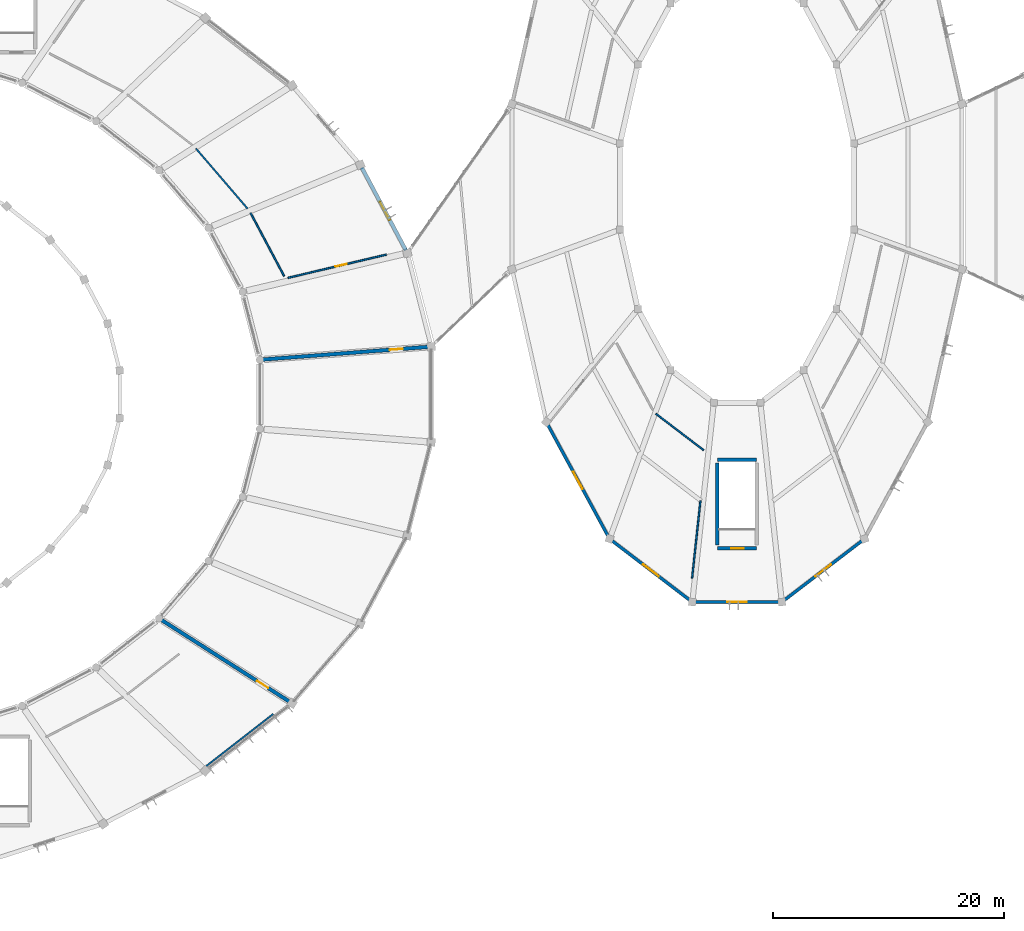
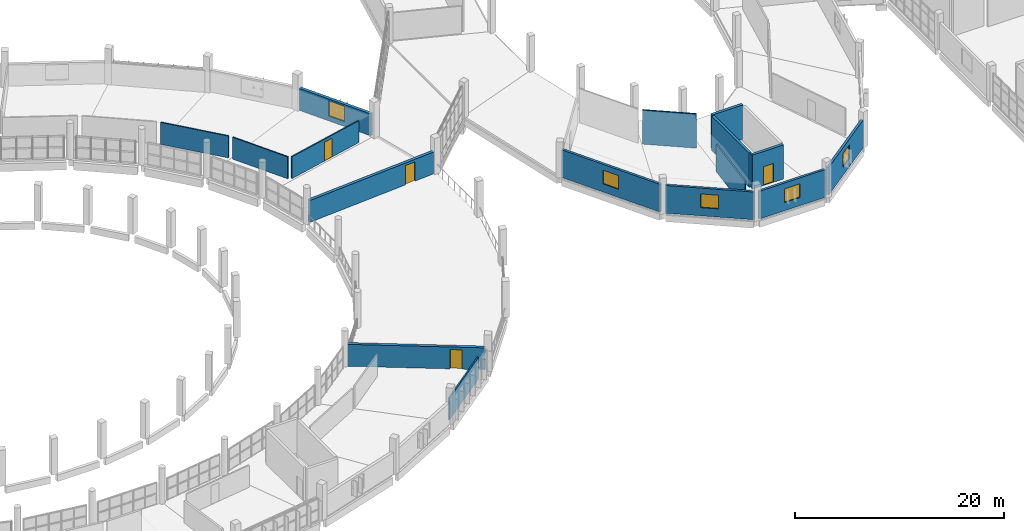
# One storey, part 102 of 142: 16 walls, 5 windows, 4 doors, 9 openings.
"""IFC4 building model written with IfcOpenShell, lengths in metres."""

import ifcopenshell
import ifcopenshell.guid

model = None  # the IFC model being written
_history = None  # IfcOwnerHistory: only IFC2X3 demands one
_inside = {}  # id of a spatial element -> (the spatial element, [elements in it])
_under = {}  # id of a project, library or spatial element -> (it, [spatial elements below it])
_declared = {}  # id of a project -> (the project, [libraries it declares])
_typed = {}  # id of a type object -> (the type object, [elements of that type])
_made_of = {}  # id of a material, layer set ... -> (it, [elements and type objects made of it])


def new_model(schema):
    """Start an empty IFC model of exactly this schema.

    Asked for "IFC4X3", IfcOpenShell would pick the latest addendum, in which some entities
    have other attributes; the version numbers below select the first issue.
    IFC2X3 requires an IfcOwnerHistory on every rooted entity: one is made here for all.
    """
    global model, _history
    if schema == "IFC4X3":
        model = ifcopenshell.file(schema_version=(4, 3, 0, 0))
    else:
        model = ifcopenshell.file(schema=schema)
    _inside.clear()
    _under.clear()
    _declared.clear()
    _typed.clear()
    _made_of.clear()
    _history = None
    if model.schema == "IFC2X3":
        org = make("IfcOrganization", Name="unknown")
        user = make(
            "IfcPersonAndOrganization",
            ThePerson=make("IfcPerson", FamilyName="unknown"),
            TheOrganization=org,
        )
        app = make(
            "IfcApplication",
            ApplicationDeveloper=org,
            Version="unknown",
            ApplicationFullName="unknown",
            ApplicationIdentifier="unknown",
        )
        _history = make(
            "IfcOwnerHistory",
            OwningUser=user,
            OwningApplication=app,
            ChangeAction="ADDED",
            CreationDate=0,
        )
    return model


def make(cls, **values):
    """One entity of the class cls with the attributes given. An attribute that is None is left unset."""
    return model.create_entity(
        cls, **{name: value for name, value in values.items() if value is not None}
    )


def rooted(cls, **values):
    """An entity with a GlobalId (a new one), such as an element, a storey or a relation."""
    return make(cls, GlobalId=ifcopenshell.guid.new(), OwnerHistory=_history, **values)


def si_unit(unit_type, name, prefix=None):
    """IfcSIUnit, for example si_unit("LENGTHUNIT", "METRE", prefix="MILLI")."""
    return make("IfcSIUnit", UnitType=unit_type, Prefix=prefix, Name=name)


def assignment(units):
    """IfcUnitAssignment: the units of a project."""
    return None if units is None else make("IfcUnitAssignment", Units=units)


def point(xyz):
    """IfcCartesianPoint."""
    return None if xyz is None else make("IfcCartesianPoint", Coordinates=xyz)


def direction(xyz):
    """IfcDirection."""
    return None if xyz is None else make("IfcDirection", DirectionRatios=xyz)


def frame(location, z_axis=None, x_axis=None):
    """IfcAxis2Placement3D, a coordinate frame: its origin and axes. An axis left out is left unset."""
    return make(
        "IfcAxis2Placement3D",
        Location=point(location),
        Axis=direction(z_axis),
        RefDirection=direction(x_axis),
    )


def frame_2d(location, x_axis=None):
    """IfcAxis2Placement2D, a coordinate frame in the plane: its origin and x axis."""
    return make(
        "IfcAxis2Placement2D", Location=point(location), RefDirection=direction(x_axis)
    )


def origin():
    """The frame at (0, 0, 0) with its axes left unset."""
    return frame((0.0, 0.0, 0.0))


def place(relative_to, where):
    """IfcLocalPlacement: puts the frame where relative to a parent placement (None: the world)."""
    return make(
        "IfcLocalPlacement", PlacementRelTo=relative_to, RelativePlacement=where
    )


def context(
    kind, dimensions, precision=None, world=None, true_north=None, identifier=None
):
    """IfcGeometricRepresentationContext, for example the 3D "Model" context."""
    return make(
        "IfcGeometricRepresentationContext",
        ContextIdentifier=identifier,
        ContextType=kind,
        CoordinateSpaceDimension=dimensions,
        Precision=precision,
        WorldCoordinateSystem=world,
        TrueNorth=true_north,
    )


def subcontext(parent, identifier, kind, view, scale=None):
    """IfcGeometricRepresentationSubContext, for example "Body" below "Model"."""
    return make(
        "IfcGeometricRepresentationSubContext",
        ContextIdentifier=identifier,
        ContextType=kind,
        ParentContext=parent,
        TargetScale=scale,
        TargetView=view,
    )


def project(units=None, contexts=None):
    """IfcProject with its units and contexts."""
    return rooted(
        "IfcProject",
        Name="project",
        RepresentationContexts=contexts,
        UnitsInContext=assignment(units),
    )


def spatial(cls, under=None, at=None, **own):
    """A site, building, storey or space (cls), placed at a placement, below another one or the project."""
    s = rooted(cls, ObjectPlacement=at, **own)
    if under is not None:
        _under.setdefault(under.id(), (under, []))[1].append(s)
    return s


def profile(cls, at=None, kind="AREA", **sizes):
    """A parametric profile (cls). Its sizes go by their IFC names, for example OverallWidth=200.0."""
    return make(cls, ProfileType=kind, Position=at, **sizes)


def rectangle(**sizes):
    """IfcRectangleProfileDef."""
    return profile("IfcRectangleProfileDef", **sizes)


def extrude(swept, where, along, depth):
    """IfcExtrudedAreaSolid: the profile swept, set in the frame where, extruded along a direction by depth."""
    return make(
        "IfcExtrudedAreaSolid",
        SweptArea=swept,
        Position=where,
        ExtrudedDirection=direction(along),
        Depth=depth,
    )


def shape(context_of_items, identifier, shape_type, items):
    """IfcShapeRepresentation: the items that make up one representation, for example the "Body"."""
    return make(
        "IfcShapeRepresentation",
        ContextOfItems=context_of_items,
        RepresentationIdentifier=identifier,
        RepresentationType=shape_type,
        Items=items,
    )


def material(Name=None, Category=None):
    """IfcMaterial."""
    return make("IfcMaterial", Name=Name, Category=Category)


def layer(
    of_material, thickness, ventilated=None, Name=None, Category=None, Priority=None
):
    """IfcMaterialLayer: one layer of a wall or slab, of a material (None: an air gap)."""
    return make(
        "IfcMaterialLayer",
        Material=of_material,
        LayerThickness=thickness,
        IsVentilated=ventilated,
        Name=Name,
        Category=Category,
        Priority=Priority,
    )


def layer_set(layers, Name=None):
    """IfcMaterialLayerSet."""
    return make("IfcMaterialLayerSet", MaterialLayers=layers, LayerSetName=Name)


def made_of(thing, what):
    """Note that an element or type object is made of a material, layer set ...; save() writes the relation."""
    if what is not None:
        _made_of.setdefault(what.id(), (what, []))[1].append(thing)
    return thing


def type_object(cls, material=None, **own):
    """A type object (cls), such as IfcWallType, which elements share."""
    return made_of(rooted(cls, **own), material)


def element(
    cls,
    number,
    at=None,
    inside=None,
    cuts=None,
    type_object=None,
    material=None,
    context=None,
    identifier="Body",
    shape_type=None,
    held_by="IfcProductDefinitionShape",
    body=None,
    shapes=None,
    **own,
):
    """One element of the class cls, such as IfcWall. Its Tag is "e" and its number.

    at: its placement. inside: the storey or other place that contains it. cuts: it is an
    opening in that element (IfcRelVoidsElement). A single representation is given by context,
    identifier, shape_type and body (its items); several are given by shapes. held_by: the class
    of the entity that holds the representations. save() writes the other relations.
    """
    e = rooted(cls, Tag="e%d" % number, ObjectPlacement=at, **own)
    if body is not None:
        shapes = [shape(context, identifier, shape_type, body)]
    if shapes is not None:
        e.Representation = make(held_by, Representations=shapes)
    if inside is not None:
        _inside.setdefault(inside.id(), (inside, []))[1].append(e)
    if cuts is not None:
        rooted(
            "IfcRelVoidsElement", RelatingBuildingElement=cuts, RelatedOpeningElement=e
        )
    if type_object is not None:
        _typed.setdefault(type_object.id(), (type_object, []))[1].append(e)
    return made_of(e, material)


def fill(opening, filler):
    """IfcRelFillsElement: the door or window that sits in an opening."""
    return rooted(
        "IfcRelFillsElement",
        RelatingOpeningElement=opening,
        RelatedBuildingElement=filler,
    )


def aggregate(whole, parts):
    """IfcRelAggregates: a whole, such as a stair, and the parts it consists of."""
    return rooted("IfcRelAggregates", RelatingObject=whole, RelatedObjects=parts)


def save(model, path):
    """Write the relations noted so far, then the file.

    IfcRelAggregates (storeys below a building ...), IfcRelContainedInSpatialStructure (elements
    in a storey), IfcRelDefinesByType, IfcRelAssociatesMaterial and IfcRelDeclares: one each for
    every whole, place, type object, material and project.
    """
    for whole, parts in _under.values():
        aggregate(whole, parts)
    for where, things in _inside.values():
        rooted(
            "IfcRelContainedInSpatialStructure",
            RelatedElements=things,
            RelatingStructure=where,
        )
    for kind, things in _typed.values():
        rooted("IfcRelDefinesByType", RelatedObjects=things, RelatingType=kind)
    for what, things in _made_of.values():
        rooted("IfcRelAssociatesMaterial", RelatedObjects=things, RelatingMaterial=what)
    for by, libraries in _declared.values():
        rooted("IfcRelDeclares", RelatingContext=by, RelatedDefinitions=libraries)
    model.write(path)


model = new_model("IFC4")

# Units and contexts
model_context = context("Model", 3, precision=1e-05, world=origin(), true_north=direction((0.0, 1.0)))
body_context = subcontext(model_context, "Body", "Model", "MODEL_VIEW")
ifc_project = project(units=[si_unit("LENGTHUNIT", "METRE"), si_unit("AREAUNIT", "SQUARE_METRE"), si_unit("VOLUMEUNIT", "CUBIC_METRE"), si_unit("PLANEANGLEUNIT", "RADIAN"), si_unit("MASSUNIT", "GRAM", prefix="KILO")], contexts=[model_context])

# Site, building, storey
site_placement = place(None, origin())
site = spatial("IfcSite", under=ifc_project, at=site_placement, CompositionType="ELEMENT")
building_placement = place(site_placement, origin())
building = spatial("IfcBuilding", under=site, at=building_placement, Name="Corvandel Quay Wholesale Market", CompositionType="ELEMENT")
storey_placement = place(building_placement, frame((0.0, 0.0, 10.800048828125)))
storey = spatial("IfcBuildingStorey", under=building, at=storey_placement, Name="L02", CompositionType="ELEMENT", Elevation=10.800048828125)

# Wall
ifc_material_1 = material(Name="Double-layer acoustic gypsum stud partition")
ifc_layer_1 = layer(ifc_material_1, 0.139892578125)
ifc_layer_set_1 = layer_set([ifc_layer_1], Name="Double-layer acoustic gypsum stud partition")
wall_type_1 = type_object("IfcWallType", Name="Office Acoustic Partition PT07 140", PredefinedType="PARTITIONING", material=ifc_layer_set_1)
wall_1_placement = place(storey_placement, frame((152.087646484375, 58.0888671875, 0.0), z_axis=(0.0, 0.0, 1.0), x_axis=(-0.651320491165, 0.758802752887, 0.0)))
element("IfcWall", 1, at=wall_1_placement, inside=storey, type_object=wall_type_1, Name="Interior Wall IW-0522", PredefinedType="PARTITIONING", context=body_context, shape_type="SweptSolid", body=[
    extrude(rectangle(XDim=6.875732421875, YDim=0.139892578125, at=frame_2d((3.43798828125, 0.0))), origin(), (0.0, 0.0, 1.0), 2.550048828125),
])

# Wall, opening, door
wall_2_placement = place(storey_placement, frame((164.115478515625, 54.111572265625, 0.0), z_axis=(0.0, 0.0, 1.0), x_axis=(-0.973273209665, -0.22965029795, 0.0)))
wall_2 = element("IfcWall", 2, at=wall_2_placement, inside=storey, type_object=wall_type_1, Name="Interior Wall IW-0527", PredefinedType="PARTITIONING", context=body_context, shape_type="SweptSolid", body=[
    extrude(rectangle(XDim=8.77490234375, YDim=0.139892578125, at=frame_2d((4.387451171875, 0.0))), origin(), (0.0, 0.0, 1.0), 2.550048828125),
])
opening_1_placement = place(wall_2_placement, frame((3.537109375, 0.0, 0.0)))
opening_1 = element("IfcOpeningElement", 3, at=opening_1_placement, cuts=wall_2, Name="Opening L02-D030", PredefinedType="OPENING", context=body_context, shape_type="SweptSolid", body=[
    extrude(rectangle(XDim=1.0, YDim=2.199951171875, at=frame_2d((0.5, 1.10009765625))), frame((0.0, 0.079833984375, 0.0), z_axis=(0.0, -1.0, 0.0), x_axis=(1.0, 0.0, 0.0)), (0.0, 0.0, 1.0), 0.159912109375),
])
ifc_material_2 = material(Name="Stained oak solid-core acoustic timber", Category="wood")
door_type_1 = type_object("IfcDoorType", Name="Office Entry Door ID10 1000x2200R", OperationType="SINGLE_SWING_RIGHT", PredefinedType="DOOR", material=ifc_material_2)
door_1_placement = place(opening_1_placement, origin())
door_1 = element("IfcDoor", 4, at=door_1_placement, inside=storey, type_object=door_type_1, Name="Wholesale Produce Brokers Office East Door", OperationType="SINGLE_SWING_RIGHT", OverallHeight=2.199951171875, OverallWidth=1.0, PredefinedType="DOOR", context=body_context, shape_type="SweptSolid", body=[
    extrude(rectangle(XDim=1.0, YDim=2.199951171875, at=frame_2d((0.5, 1.10009765625))), frame((0.0, 0.02490234375, 0.0), z_axis=(0.0, -1.0, 0.0), x_axis=(1.0, 0.0, 0.0)), (0.0, 0.0, 1.0), 0.050048828125),
])
fill(opening_1, door_1)

# Walls
wall_3_placement = place(storey_placement, frame((155.257568359375, 52.240234375, 0.0), z_axis=(0.0, 0.0, 1.0), x_axis=(-0.470137764168, 0.882593044785, 0.0)))
element("IfcWall", 5, at=wall_3_placement, inside=storey, type_object=wall_type_1, Name="Interior Wall IW-0528", PredefinedType="PARTITIONING", context=body_context, shape_type="SweptSolid", body=[
    extrude(rectangle(XDim=6.217529296875, YDim=0.139892578125, at=frame_2d((3.10888671875, 0.0))), origin(), (0.0, 0.0, 1.0), 2.550048828125),
])
wall_4_placement = place(storey_placement, frame((154.306396484375, 14.306884765625, 0.0), z_axis=(0.0, 0.0, 1.0), x_axis=(-0.789375230677, -0.613911023841, 0.0)))
element("IfcWall", 6, at=wall_4_placement, inside=storey, type_object=wall_type_1, Name="Interior Wall IW-0559", PredefinedType="PARTITIONING", context=body_context, shape_type="SweptSolid", body=[
    extrude(rectangle(XDim=7.42578125, YDim=0.139892578125, at=frame_2d((3.712890625, 0.0))), origin(), (0.0, 0.0, 1.0), 2.550048828125),
])
wall_5_placement = place(storey_placement, frame((187.4736328125, 40.3271484375, 0.0), z_axis=(0.0, 0.0, 1.0), x_axis=(0.793657647785, -0.608364642392, 0.0)))
element("IfcWall", 7, at=wall_5_placement, inside=storey, type_object=wall_type_1, Name="Interior Wall IW-0759", PredefinedType="PARTITIONING", context=body_context, shape_type="SweptSolid", body=[
    extrude(rectangle(XDim=5.209716796875, YDim=0.139892578125, at=frame_2d((2.60498046875, 0.0))), origin(), (0.0, 0.0, 1.0), 3.97998046875),
])
wall_6_placement = place(storey_placement, frame((191.326416015625, 32.787109375, 0.0), z_axis=(0.0, 0.0, 1.0), x_axis=(-0.107128203979, -0.994245215182, 0.0)))
element("IfcWall", 8, at=wall_6_placement, inside=storey, type_object=wall_type_1, Name="Interior Wall IW-0760", PredefinedType="PARTITIONING", context=body_context, shape_type="SweptSolid", body=[
    extrude(rectangle(XDim=6.750244140625, YDim=0.139892578125, at=frame_2d((3.375, 0.0))), origin(), (0.0, 0.0, 1.0), 3.179931640625),
])

# Wall, opening, window
ifc_material_3 = material(Name="Terracotta precast concrete C45/55", Category="masonry")
ifc_layer_2 = layer(ifc_material_3, 0.260009765625)
ifc_layer_set_2 = layer_set([ifc_layer_2], Name="Terracotta precast concrete C45/55")
wall_type_2 = type_object("IfcWallType", Name="Pavilion Pilaster Infill Wall EW08 260", PredefinedType="SOLIDWALL", material=ifc_layer_set_2)
wall_7_placement = place(storey_placement, frame((178.07373046875, 39.41455078125, 0.0), z_axis=(0.0, 0.0, 1.0), x_axis=(0.476243387046, -0.87931350285, 0.0)))
wall_7 = element("IfcWall", 9, at=wall_7_placement, inside=storey, type_object=wall_type_2, Name="Exterior Wall EW-0181", PredefinedType="SOLIDWALL", context=body_context, shape_type="SweptSolid", body=[
    extrude(rectangle(XDim=11.0771484375, YDim=0.260009765625, at=frame_2d((5.53857421875, 0.0))), origin(), (0.0, 0.0, 1.0), 3.22998046875),
])
opening_2_placement = place(wall_7_placement, frame((4.68896484375, 0.0, 0.949951171875)))
opening_2 = element("IfcOpeningElement", 10, at=opening_2_placement, cuts=wall_7, Name="Opening L02-W033", PredefinedType="OPENING", context=body_context, shape_type="SweptSolid", body=[
    extrude(rectangle(XDim=1.699951171875, YDim=1.60009765625, at=frame_2d((0.85009765625, 0.800048828125))), frame((0.0, 0.139892578125, 0.0), z_axis=(0.0, -1.0, 0.0), x_axis=(1.0, 0.0, 0.0)), (0.0, 0.0, 1.0), 0.280029296875),
])
ifc_material_4 = material(Name="Thermally broken bronze anodised aluminium and solar-control low-E double glazing", Category="aluminium")
window_type_1 = type_object("IfcWindowType", Name="Auction Viewing Window WN13 1700x1600", PartitioningType="SINGLE_PANEL", PredefinedType="WINDOW", material=ifc_material_4)
window_1_placement = place(opening_2_placement, origin())
window_1 = element("IfcWindow", 11, at=window_1_placement, inside=storey, type_object=window_type_1, Name="Window L02-W033", OverallHeight=1.60009765625, OverallWidth=1.699951171875, PartitioningType="SINGLE_PANEL", PredefinedType="WINDOW", context=body_context, shape_type="SweptSolid", body=[
    extrude(rectangle(XDim=1.699951171875, YDim=1.60009765625, at=frame_2d((0.85009765625, 0.800048828125))), frame((0.0, 0.030029296875, 0.0), z_axis=(0.0, -1.0, 0.0), x_axis=(1.0, 0.0, 0.0)), (0.0, 0.0, 1.0), 0.06005859375),
])
fill(opening_2, window_1)

wall_8_placement = place(storey_placement, frame((183.62890625, 29.347412109375, 0.0), z_axis=(0.0, 0.0, 1.0), x_axis=(0.794325535109, -0.607492340918, 0.0)))
wall_8 = element("IfcWall", 12, at=wall_8_placement, inside=storey, type_object=wall_type_2, Name="Exterior Wall EW-0185", PredefinedType="SOLIDWALL", context=body_context, shape_type="SweptSolid", body=[
    extrude(rectangle(XDim=8.58251953125, YDim=0.260009765625, at=frame_2d((4.291259765625, 0.0))), origin(), (0.0, 0.0, 1.0), 3.22998046875),
])
opening_3_placement = place(wall_8_placement, frame((3.44091796875, 0.0, 0.949951171875)))
opening_3 = element("IfcOpeningElement", 13, at=opening_3_placement, cuts=wall_8, Name="Opening L02-W034", PredefinedType="OPENING", context=body_context, shape_type="SweptSolid", body=[
    extrude(rectangle(XDim=1.699951171875, YDim=1.60009765625, at=frame_2d((0.85009765625, 0.800048828125))), frame((0.0, 0.139892578125, 0.0), z_axis=(0.0, -1.0, 0.0), x_axis=(1.0, 0.0, 0.0)), (0.0, 0.0, 1.0), 0.280029296875),
])
window_2_placement = place(opening_3_placement, origin())
window_2 = element("IfcWindow", 14, at=window_2_placement, inside=storey, type_object=window_type_1, Name="Window L02-W034", OverallHeight=1.60009765625, OverallWidth=1.699951171875, PartitioningType="SINGLE_PANEL", PredefinedType="WINDOW", context=body_context, shape_type="SweptSolid", body=[
    extrude(rectangle(XDim=1.699951171875, YDim=1.60009765625, at=frame_2d((0.85009765625, 0.800048828125))), frame((0.0, 0.030029296875, 0.0), z_axis=(0.0, -1.0, 0.0), x_axis=(1.0, 0.0, 0.0)), (0.0, 0.0, 1.0), 0.06005859375),
])
fill(opening_3, window_2)

wall_9_placement = place(storey_placement, frame((190.841064453125, 24.0, 0.0), z_axis=(0.0, 0.0, 1.0), x_axis=(1.0, 0.0, 0.0)))
wall_9 = element("IfcWall", 15, at=wall_9_placement, inside=storey, type_object=wall_type_2, Name="Exterior Wall EW-0187", PredefinedType="SOLIDWALL", context=body_context, shape_type="SweptSolid", body=[
    extrude(rectangle(XDim=7.31787109375, YDim=0.260009765625, at=frame_2d((3.658935546875, 0.0))), origin(), (0.0, 0.0, 1.0), 3.22998046875),
])
opening_4_placement = place(wall_9_placement, frame((2.80908203125, 0.0, 0.949951171875)))
opening_4 = element("IfcOpeningElement", 16, at=opening_4_placement, cuts=wall_9, Name="Opening L02-W035", PredefinedType="OPENING", context=body_context, shape_type="SweptSolid", body=[
    extrude(rectangle(XDim=1.699951171875, YDim=1.60009765625, at=frame_2d((0.85009765625, 0.800048828125))), frame((0.0, 0.139892578125, 0.0), z_axis=(0.0, -1.0, 0.0), x_axis=(1.0, 0.0, 0.0)), (0.0, 0.0, 1.0), 0.280029296875),
])
window_3_placement = place(opening_4_placement, origin())
window_3 = element("IfcWindow", 17, at=window_3_placement, inside=storey, type_object=window_type_1, Name="Window L02-W035", OverallHeight=1.60009765625, OverallWidth=1.699951171875, PartitioningType="SINGLE_PANEL", PredefinedType="WINDOW", context=body_context, shape_type="SweptSolid", body=[
    extrude(rectangle(XDim=1.699951171875, YDim=1.60009765625, at=frame_2d((0.85009765625, 0.800048828125))), frame((0.0, 0.030029296875, 0.0), z_axis=(0.0, -1.0, 0.0), x_axis=(1.0, 0.0, 0.0)), (0.0, 0.0, 1.0), 0.06005859375),
])
fill(opening_4, window_3)

wall_10_placement = place(storey_placement, frame((198.5537109375, 24.133544921875, 0.0), z_axis=(0.0, 0.0, 1.0), x_axis=(0.794325535109, 0.607492340918, 0.0)))
wall_10 = element("IfcWall", 18, at=wall_10_placement, inside=storey, type_object=wall_type_2, Name="Exterior Wall EW-0189", PredefinedType="SOLIDWALL", context=body_context, shape_type="SweptSolid", body=[
    extrude(rectangle(XDim=8.58251953125, YDim=0.260009765625, at=frame_2d((4.291259765625, 0.0))), origin(), (0.0, 0.0, 1.0), 3.22998046875),
])
opening_5_placement = place(wall_10_placement, frame((3.44091796875, 0.0, 0.949951171875)))
opening_5 = element("IfcOpeningElement", 19, at=opening_5_placement, cuts=wall_10, Name="Opening L02-W036", PredefinedType="OPENING", context=body_context, shape_type="SweptSolid", body=[
    extrude(rectangle(XDim=1.699951171875, YDim=1.60009765625, at=frame_2d((0.85009765625, 0.800048828125))), frame((0.0, 0.139892578125, 0.0), z_axis=(0.0, -1.0, 0.0), x_axis=(1.0, 0.0, 0.0)), (0.0, 0.0, 1.0), 0.280029296875),
])
window_4_placement = place(opening_5_placement, origin())
window_4 = element("IfcWindow", 20, at=window_4_placement, inside=storey, type_object=window_type_1, Name="Window L02-W036", OverallHeight=1.60009765625, OverallWidth=1.699951171875, PartitioningType="SINGLE_PANEL", PredefinedType="WINDOW", context=body_context, shape_type="SweptSolid", body=[
    extrude(rectangle(XDim=1.699951171875, YDim=1.60009765625, at=frame_2d((0.85009765625, 0.800048828125))), frame((0.0, 0.030029296875, 0.0), z_axis=(0.0, -1.0, 0.0), x_axis=(1.0, 0.0, 0.0)), (0.0, 0.0, 1.0), 0.06005859375),
])
fill(opening_5, window_4)

ifc_material_5 = material(Name="Buff-pigmented precast concrete C45/55", Category="concrete")
ifc_layer_3 = layer(ifc_material_5, 0.320068359375)
ifc_layer_set_3 = layer_set([ifc_layer_3], Name="Buff-pigmented precast concrete C45/55")
wall_type_3 = type_object("IfcWallType", Name="Sandstone Buff Precast Wall EW02 320", PredefinedType="SOLIDWALL", material=ifc_layer_set_3)
wall_11_placement = place(storey_placement, frame((165.798095703125, 54.4892578125, 0.0), z_axis=(0.0, 0.0, 1.0), x_axis=(-0.47010905891, 0.882608334841, 0.0)))
wall_11 = element("IfcWall", 21, at=wall_11_placement, inside=storey, type_object=wall_type_3, Name="Exterior Wall EW-0004", PredefinedType="SOLIDWALL", context=body_context, shape_type="SweptSolid", body=[
    extrude(rectangle(XDim=8.11962890625, YDim=0.320068359375, at=frame_2d((4.059814453125, 0.0))), origin(), (0.0, 0.0, 1.0), 2.550048828125),
])
opening_6_placement = place(wall_11_placement, frame((2.9599609375, 0.0, 0.550048828125)))
opening_6 = element("IfcOpeningElement", 22, at=opening_6_placement, cuts=wall_11, Name="Opening L02-W001", PredefinedType="OPENING", context=body_context, shape_type="SweptSolid", body=[
    extrude(rectangle(XDim=1.800048828125, YDim=1.800048828125, at=frame_2d((0.89990234375, 0.89990234375))), frame((0.0, 0.169921875, 0.0), z_axis=(0.0, -1.0, 0.0), x_axis=(1.0, 0.0, 0.0)), (0.0, 0.0, 1.0), 0.340087890625),
])
window_type_2 = type_object("IfcWindowType", Name="Brokers Corner Window WN04 1800x1800", PartitioningType="SINGLE_PANEL", PredefinedType="WINDOW", material=ifc_material_4)
window_5_placement = place(opening_6_placement, origin())
window_5 = element("IfcWindow", 23, at=window_5_placement, inside=storey, type_object=window_type_2, Name="Window L02-W001", OverallHeight=1.800048828125, OverallWidth=1.800048828125, PartitioningType="SINGLE_PANEL", PredefinedType="WINDOW", context=body_context, shape_type="SweptSolid", body=[
    extrude(rectangle(XDim=1.800048828125, YDim=1.800048828125, at=frame_2d((0.89990234375, 0.89990234375))), frame((0.0, 0.030029296875, 0.0), z_axis=(0.0, -1.0, 0.0), x_axis=(1.0, 0.0, 0.0)), (0.0, 0.0, 1.0), 0.06005859375),
])
fill(opening_6, window_5)

# Wall, opening, door
wall_12_placement = place(storey_placement, frame((155.725830078125, 15.366943359375, 0.0), z_axis=(0.0, 0.0, 1.0), x_axis=(-0.842946725753, 0.537997042317, 0.0)))
wall_12 = element("IfcWall", 24, at=wall_12_placement, inside=storey, type_object=wall_type_3, Name="Exterior Wall EW-0087", PredefinedType="SOLIDWALL", context=body_context, shape_type="SweptSolid", body=[
    extrude(rectangle(XDim=13.1640625, YDim=0.320068359375, at=frame_2d((6.58203125, 0.0))), origin(), (0.0, 0.0, 1.0), 2.550048828125),
])
opening_7_placement = place(wall_12_placement, frame((2.199951171875, 0.0, 0.0)))
opening_7 = element("IfcOpeningElement", 25, at=opening_7_placement, cuts=wall_12, Name="Opening L02-D001", PredefinedType="OPENING", context=body_context, shape_type="SweptSolid", body=[
    extrude(rectangle(XDim=1.14990234375, YDim=2.25, at=frame_2d((0.574951171875, 1.125))), frame((0.0, 0.169921875, 0.0), z_axis=(0.0, -1.0, 0.0), x_axis=(1.0, 0.0, 0.0)), (0.0, 0.0, 1.0), 0.340087890625),
])
ifc_material_6 = material(Name="Bronze anodised aluminium and low-E glass", Category="aluminium")
door_type_2 = type_object("IfcDoorType", Name="Terrace Single Glazed Door ED09 1150x2250", OperationType="SINGLE_SWING_LEFT", PredefinedType="DOOR", material=ifc_material_6)
door_2_placement = place(opening_7_placement, origin())
door_2 = element("IfcDoor", 26, at=door_2_placement, inside=storey, type_object=door_type_2, Name="Terrace Access Door V1-28", OperationType="SINGLE_SWING_LEFT", OverallHeight=2.25, OverallWidth=1.14990234375, PredefinedType="DOOR", context=body_context, shape_type="SweptSolid", body=[
    extrude(rectangle(XDim=1.14990234375, YDim=2.25, at=frame_2d((0.574951171875, 1.125))), frame((0.0, 0.02490234375, 0.0), z_axis=(0.0, -1.0, 0.0), x_axis=(1.0, 0.0, 0.0)), (0.0, 0.0, 1.0), 0.050048828125),
])
fill(opening_7, door_2)

wall_13_placement = place(storey_placement, frame((167.74072265625, 46.1171875, 0.0), z_axis=(0.0, 0.0, 1.0), x_axis=(-0.997075927907, -0.076417236204, 0.0)))
wall_13 = element("IfcWall", 27, at=wall_13_placement, inside=storey, type_object=wall_type_3, Name="Exterior Wall EW-0088", PredefinedType="SOLIDWALL", context=body_context, shape_type="SweptSolid", body=[
    extrude(rectangle(XDim=14.37353515625, YDim=0.320068359375, at=frame_2d((7.186767578125, 0.0))), origin(), (0.0, 0.0, 1.0), 2.550048828125),
])
opening_8_placement = place(wall_13_placement, frame((2.199951171875, 0.0, 0.0)))
opening_8 = element("IfcOpeningElement", 28, at=opening_8_placement, cuts=wall_13, Name="Opening L02-D002", PredefinedType="OPENING", context=body_context, shape_type="SweptSolid", body=[
    extrude(rectangle(XDim=1.14990234375, YDim=2.25, at=frame_2d((0.574951171875, 1.125))), frame((0.0, 0.169921875, 0.0), z_axis=(0.0, -1.0, 0.0), x_axis=(1.0, 0.0, 0.0)), (0.0, 0.0, 1.0), 0.340087890625),
])
door_3_placement = place(opening_8_placement, origin())
door_3 = element("IfcDoor", 29, at=door_3_placement, inside=storey, type_object=door_type_2, Name="Terrace Access Door V1-00", OperationType="SINGLE_SWING_LEFT", OverallHeight=2.25, OverallWidth=1.14990234375, PredefinedType="DOOR", context=body_context, shape_type="SweptSolid", body=[
    extrude(rectangle(XDim=1.14990234375, YDim=2.25, at=frame_2d((0.574951171875, 1.125))), frame((0.0, 0.02490234375, 0.0), z_axis=(0.0, -1.0, 0.0), x_axis=(1.0, 0.0, 0.0)), (0.0, 0.0, 1.0), 0.050048828125),
])
fill(opening_8, door_3)

ifc_material_7 = material(Name="Concrete C40/50", Category="concrete")
ifc_layer_4 = layer(ifc_material_7, 0.300048828125)
ifc_layer_set_4 = layer_set([ifc_layer_4], Name="Concrete C40/50")
wall_type_4 = type_object("IfcWallType", Name="Stair Shaft Shear Wall SW02 300", PredefinedType="SHEAR", material=ifc_layer_set_4)
wall_14_placement = place(storey_placement, frame((192.800048828125, 28.64990234375, 0.0), z_axis=(0.0, 0.0, 1.0), x_axis=(1.0, 0.0, 0.0)))
wall_14 = element("IfcWall", 30, at=wall_14_placement, inside=storey, type_object=wall_type_4, Name="Shear Wall IW-0097", PredefinedType="SHEAR", context=body_context, shape_type="SweptSolid", body=[
    extrude(rectangle(XDim=3.39990234375, YDim=0.300048828125, at=frame_2d((1.699951171875, 0.0))), origin(), (0.0, 0.0, 1.0), 3.97998046875),
])
opening_9_placement = place(wall_14_placement, frame((1.199951171875, 0.0, 0.0)))
opening_9 = element("IfcOpeningElement", 31, at=opening_9_placement, cuts=wall_14, Name="Opening L02-D013", PredefinedType="OPENING", context=body_context, shape_type="SweptSolid", body=[
    extrude(rectangle(XDim=1.10009765625, YDim=2.199951171875, at=frame_2d((0.550048828125, 1.10009765625))), frame((0.0, 0.159912109375, 0.0), z_axis=(0.0, -1.0, 0.0), x_axis=(1.0, 0.0, 0.0)), (0.0, 0.0, 1.0), 0.320068359375),
])
ifc_material_8 = material(Name="Galvanised fire-rated hollow steel", Category="steel")
door_type_3 = type_object("IfcDoorType", Name="Exit Stair Fire Door ID01 1100x2200L", OperationType="SINGLE_SWING_LEFT", PredefinedType="DOOR", material=ifc_material_8)
door_4_placement = place(opening_9_placement, origin())
door_4 = element("IfcDoor", 32, at=door_4_placement, inside=storey, type_object=door_type_3, Name="Exit Stair Door SH09-L02", OperationType="SINGLE_SWING_LEFT", OverallHeight=2.199951171875, OverallWidth=1.10009765625, PredefinedType="DOOR", context=body_context, shape_type="SweptSolid", body=[
    extrude(rectangle(XDim=1.10009765625, YDim=2.199951171875, at=frame_2d((0.550048828125, 1.10009765625))), frame((0.0, 0.02490234375, 0.0), z_axis=(0.0, -1.0, 0.0), x_axis=(1.0, 0.0, 0.0)), (0.0, 0.0, 1.0), 0.050048828125),
])
fill(opening_9, door_4)

# Walls
wall_15_placement = place(storey_placement, frame((192.800048828125, 36.35009765625, 0.0), z_axis=(0.0, 0.0, 1.0), x_axis=(1.0, 0.0, 0.0)))
element("IfcWall", 33, at=wall_15_placement, inside=storey, type_object=wall_type_4, Name="Shear Wall IW-0098", PredefinedType="SHEAR", context=body_context, shape_type="SweptSolid", body=[
    extrude(rectangle(XDim=3.39990234375, YDim=0.300048828125, at=frame_2d((1.699951171875, 0.0))), origin(), (0.0, 0.0, 1.0), 3.97998046875),
])
wall_16_placement = place(storey_placement, frame((192.800048828125, 28.93994140625, 0.0), z_axis=(0.0, 0.0, 1.0), x_axis=(0.0, 1.0, 0.0)))
element("IfcWall", 34, at=wall_16_placement, inside=storey, type_object=wall_type_4, Name="Shear Wall IW-0099", PredefinedType="SHEAR", context=body_context, shape_type="SweptSolid", body=[
    extrude(rectangle(XDim=7.1201171875, YDim=0.300048828125, at=frame_2d((3.56005859375, 0.0))), origin(), (0.0, 0.0, 1.0), 3.97998046875),
])

save(model, "model.ifc")
